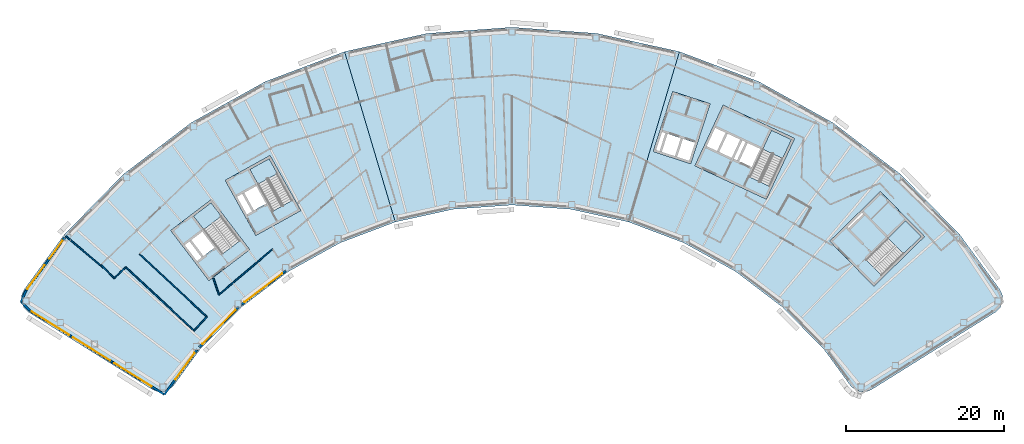
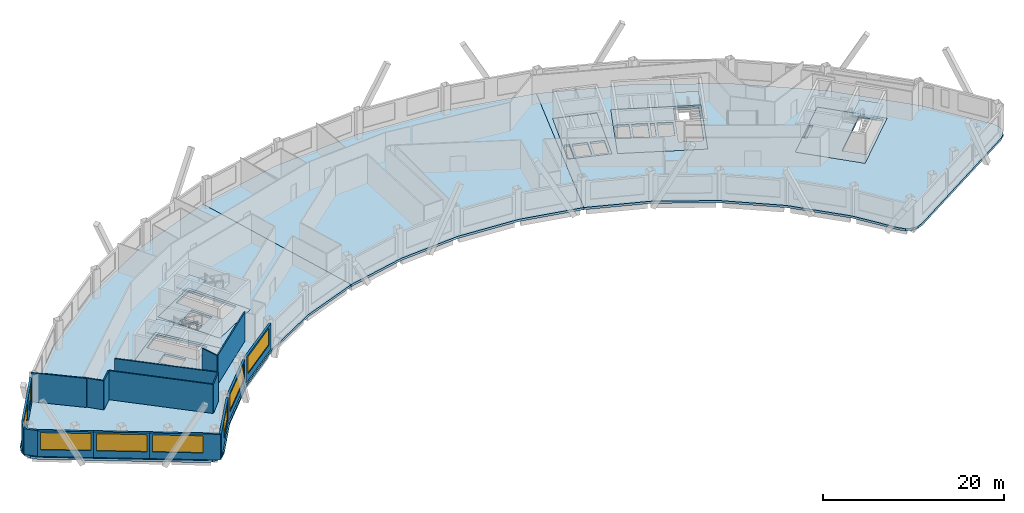
# One storey, part 4 of 12: 17 walls, 12 slabs, 8 windows, 8 openings, 4 elements without a shape of their own.
"""IFC4 building model written with IfcOpenShell, lengths in metres."""

from ifc_helpers import new_model, si_unit, direction, frame, frame_2d, origin, place, context, subcontext, project, spatial, polyline, rectangle, outline, extrude, material, layer, layer_set, type_object, element, fill, aggregate, save


model = new_model("IFC4")

# Units and contexts
model_context = context("Model", 3, precision=1e-05, world=origin(), true_north=direction((0.0, 1.0)))
body_context = subcontext(model_context, "Body", "Model", "MODEL_VIEW")
ifc_project = project(units=[si_unit("LENGTHUNIT", "METRE"), si_unit("AREAUNIT", "SQUARE_METRE"), si_unit("VOLUMEUNIT", "CUBIC_METRE"), si_unit("PLANEANGLEUNIT", "RADIAN"), si_unit("MASSUNIT", "GRAM", prefix="KILO")], contexts=[model_context])

# Site, building, storey
site_placement = place(None, origin())
site = spatial("IfcSite", under=ifc_project, at=site_placement, CompositionType="ELEMENT")
building_placement = place(site_placement, origin())
building = spatial("IfcBuilding", under=site, at=building_placement, Name="Tuul Gate Civic Tower", CompositionType="ELEMENT")
storey_placement = place(building_placement, frame((0.0, 0.0, 328.10009765625)))
storey = spatial("IfcBuildingStorey", under=building, at=storey_placement, Name="Level 74", CompositionType="ELEMENT", Elevation=328.10009765625)

# Slabs
ifc_material_1 = material(Name="Concrete C40/50", Category="concrete")
ifc_layer_1 = layer(ifc_material_1, 0.300048828125)
ifc_layer_set_1 = layer_set([ifc_layer_1], Name="Concrete C40/50")
slab_type_1 = type_object("IfcSlabType", Name="Core floor slab 300", PredefinedType="FLOOR", material=ifc_layer_set_1)
slab_1_placement = place(storey_placement, frame((0.0, 0.0, -0.300048828125)))
element("IfcSlab", 1, at=slab_1_placement, inside=storey, type_object=slab_type_1, Name="FLOOR SLAB", PredefinedType="FLOOR", context=body_context, shape_type="SweptSolid", body=[
    extrude(outline(polyline([(-31.10009765625, -13.7890625), (-35.946044921875, -7.423828125), (-41.11767578125, -11.361572265625), (-36.271484375, -17.726806640625), (-31.10009765625, -13.7890625)]), holes=[polyline([(-35.561767578125, -13.541259765625), (-37.1064453125, -11.512451171875), (-38.498779296875, -12.572509765625), (-36.9541015625, -14.6015625), (-35.561767578125, -13.541259765625)]), polyline([(-37.19287109375, -14.783203125), (-38.737548828125, -12.75439453125), (-39.45361328125, -13.299560546875), (-37.908935546875, -15.328369140625), (-37.19287109375, -14.783203125)]), polyline([(-32.33935546875, -12.65771484375), (-34.56591796875, -14.352783203125), (-38.229736328125, -9.54052734375), (-36.003173828125, -7.845458984375), (-32.33935546875, -12.65771484375)])]), origin(), (0.0, 0.0, 1.0), 0.300048828125),
])
slab_2_placement = place(storey_placement, frame((0.0, 0.0, -0.300048828125)))
element("IfcSlab", 2, at=slab_2_placement, inside=storey, type_object=slab_type_1, Name="FLOOR SLAB", PredefinedType="FLOOR", context=body_context, shape_type="SweptSolid", body=[
    extrude(outline(polyline([(-24.638916015625, -8.846923828125), (-28.51708984375, -1.849853515625), (-34.2021484375, -5.0009765625), (-30.32421875, -11.998046875), (-24.638916015625, -8.846923828125)]), holes=[polyline([(-29.0185546875, -7.958740234375), (-30.254638671875, -5.728515625), (-31.785400390625, -6.576904296875), (-30.54931640625, -8.80712890625), (-29.0185546875, -7.958740234375)]), polyline([(-30.8115234375, -8.95263671875), (-32.047607421875, -6.72216796875), (-32.8349609375, -7.158447265625), (-31.5986328125, -9.388916015625), (-30.8115234375, -8.95263671875)]), polyline([(-25.702392578125, -7.548828125), (-28.14990234375, -8.905517578125), (-31.08203125, -3.615234375), (-28.63427734375, -2.2587890625), (-25.702392578125, -7.548828125)])]), origin(), (0.0, 0.0, 1.0), 0.300048828125),
])
slab_3_placement = place(storey_placement, frame((0.0, 0.0, -0.300048828125)))
element("IfcSlab", 3, at=slab_3_placement, inside=storey, type_object=slab_type_1, Name="FLOOR SLAB", PredefinedType="FLOOR", context=body_context, shape_type="SweptSolid", body=[
    extrude(outline(polyline([(48.117919921875, -18.43310546875), (54.545166015625, -12.1328125), (48.945068359375, -6.419921875), (42.517822265625, -12.719970703125), (48.117919921875, -18.43310546875)]), holes=[polyline([(44.93896484375, -11.046875), (46.760009765625, -9.261962890625), (46.514892578125, -9.011962890625), (44.69384765625, -10.797119140625), (44.93896484375, -11.046875)]), polyline([(49.086181640625, -17.062744140625), (47.12744140625, -15.064208984375), (52.160888671875, -10.130126953125), (54.11962890625, -12.128662109375), (49.086181640625, -17.062744140625)])]), origin(), (0.0, 0.0, 1.0), 0.300048828125),
])
slab_4_placement = place(storey_placement, frame((0.0, 0.0, -0.300048828125)))
element("IfcSlab", 4, at=slab_4_placement, inside=storey, type_object=slab_type_1, Name="FLOOR SLAB", PredefinedType="FLOOR", context=body_context, shape_type="SweptSolid", body=[
    extrude(outline(polyline([(34.465087890625, -7.385986328125), (38.056884765625, 0.31787109375), (28.993896484375, 4.543701171875), (25.40185546875, -3.159912109375), (34.465087890625, -7.385986328125)]), holes=[polyline([(32.60888671875, -3.32080078125), (33.6865234375, -1.009765625), (32.1005859375, -0.27001953125), (31.02294921875, -2.581298828125), (32.60888671875, -3.32080078125)]), polyline([(30.0712890625, -2.137451171875), (31.14892578125, 0.173583984375), (29.562744140625, 0.9130859375), (28.4853515625, -1.39794921875), (30.0712890625, -2.137451171875)]), polyline([(30.751220703125, -2.454345703125), (31.82861328125, -0.143310546875), (31.4208984375, 0.046875), (30.34326171875, -2.264404296875), (30.751220703125, -2.454345703125)]), polyline([(28.21337890625, -1.27099609375), (29.291015625, 1.0400390625), (27.8408203125, 1.71630859375), (26.76318359375, -0.594970703125), (28.21337890625, -1.27099609375)]), polyline([(34.889892578125, -5.7626953125), (32.353759765625, -4.580078125), (35.120849609375, 1.354736328125), (37.6572265625, 0.17236328125), (34.889892578125, -5.7626953125)])]), origin(), (0.0, 0.0, 1.0), 0.300048828125),
])
ifc_material_2 = material(Name="Concrete C40/50", Category="concrete")
ifc_layer_2 = layer(ifc_material_2, 0.300048828125)
ifc_layer_set_2 = layer_set([ifc_layer_2], Name="Concrete C40/50")
slab_type_2 = type_object("IfcSlabType", Name="Core floor slab 300 non-bearing", PredefinedType="FLOOR", material=ifc_layer_set_2)
slab_5_placement = place(storey_placement, frame((0.0, 0.0, -0.300048828125)))
element("IfcSlab", 5, at=slab_5_placement, inside=storey, type_object=slab_type_2, Name="FLOOR SLAB", PredefinedType="FLOOR", context=body_context, shape_type="SweptSolid", body=[
    extrude(outline(polyline([(24.864990234375, -2.888916015625), (27.337890625, 4.71923828125), (22.58251953125, 6.264404296875), (20.109619140625, -1.343994140625), (24.864990234375, -2.888916015625)]), holes=[polyline([(24.67236328125, -2.510986328125), (25.414306640625, -0.228515625), (23.892578125, 0.265869140625), (23.150634765625, -2.0166015625), (24.67236328125, -2.510986328125)]), polyline([(22.865478515625, -1.923828125), (23.607177734375, 0.358642578125), (21.94287109375, 0.8994140625), (21.201171875, -1.383056640625), (22.865478515625, -1.923828125)]), polyline([(20.869384765625, -1.43310546875), (21.65771484375, 0.9921875), (21.0869140625, 1.177490234375), (20.298583984375, -1.24755859375), (20.869384765625, -1.43310546875)])]), origin(), (0.0, 0.0, 1.0), 0.300048828125),
])

# Stair, slab
ifc_material_3 = material(Name="Concrete C40/50", Category="concrete")
stair_type = type_object("IfcStairType", Name="Exit stair", PredefinedType="HALF_TURN_STAIR", material=ifc_material_3)
stair_1_placement = place(storey_placement, origin())
stair_1 = element("IfcStair", 6, at=stair_1_placement, inside=storey, type_object=stair_type, Name="Level 74 ST-1", PredefinedType="HALF_TURN_STAIR")
ifc_material_4 = material(Name="Concrete C40/50", Category="concrete")
ifc_layer_3 = layer(ifc_material_4, 0.199951171875)
ifc_layer_set_3 = layer_set([ifc_layer_3], Name="Concrete C40/50")
slab_type_3 = type_object("IfcSlabType", Name="Exit stair landing", PredefinedType="LANDING", material=ifc_layer_set_3)
slab_6_placement = place(storey_placement, frame((0.0, 0.0, 1.89990234375)))
slab_6 = element("IfcSlab", 7, at=slab_6_placement, type_object=slab_type_3, Name="ST-1 landing 1", PredefinedType="LANDING", context=body_context, shape_type="SweptSolid", body=[
    extrude(outline(polyline([(-34.699462890625, -9.554931640625), (-36.9287109375, -11.252197265625), (-38.23193359375, -9.540283203125), (-36.0029296875, -7.843017578125), (-34.699462890625, -9.554931640625)])), origin(), (0.0, 0.0, 1.0), 0.199951171875),
])
aggregate(stair_1, [slab_6])

stair_2_placement = place(storey_placement, origin())
stair_2 = element("IfcStair", 8, at=stair_2_placement, inside=storey, type_object=stair_type, Name="Level 74 ST-2", PredefinedType="HALF_TURN_STAIR")
slab_7_placement = place(storey_placement, frame((0.0, 0.0, 1.89990234375)))
slab_7 = element("IfcSlab", 9, at=slab_7_placement, type_object=slab_type_3, Name="ST-2 landing 1", PredefinedType="LANDING", context=body_context, shape_type="SweptSolid", body=[
    extrude(outline(polyline([(-27.5908203125, -4.138427734375), (-30.041015625, -5.49658203125), (-31.084228515625, -3.61474609375), (-28.6337890625, -2.256591796875), (-27.5908203125, -4.138427734375)])), origin(), (0.0, 0.0, 1.0), 0.199951171875),
])
aggregate(stair_2, [slab_7])

stair_3_placement = place(storey_placement, origin())
stair_3 = element("IfcStair", 10, at=stair_3_placement, inside=storey, type_object=stair_type, Name="Level 74 ST-3", PredefinedType="HALF_TURN_STAIR")
slab_8_placement = place(storey_placement, frame((0.0, 0.0, 1.89990234375)))
slab_8 = element("IfcSlab", 11, at=slab_8_placement, type_object=slab_type_3, Name="ST-3 landing 1", PredefinedType="LANDING", context=body_context, shape_type="SweptSolid", body=[
    extrude(outline(polyline([(51.871337890625, -14.3349609375), (49.91015625, -12.334228515625), (52.160888671875, -10.1279296875), (54.1220703125, -12.128662109375), (51.871337890625, -14.3349609375)])), origin(), (0.0, 0.0, 1.0), 0.199951171875),
])
aggregate(stair_3, [slab_8])

stair_4_placement = place(storey_placement, origin())
stair_4 = element("IfcStair", 12, at=stair_4_placement, inside=storey, type_object=stair_type, Name="Level 74 ST-4", PredefinedType="HALF_TURN_STAIR")
slab_9_placement = place(storey_placement, frame((0.0, 0.0, 1.89990234375)))
slab_9 = element("IfcSlab", 13, at=slab_9_placement, type_object=slab_type_3, Name="ST-4 landing 1", PredefinedType="LANDING", context=body_context, shape_type="SweptSolid", body=[
    extrude(outline(polyline([(36.538818359375, -2.230224609375), (33.999755859375, -1.046142578125), (35.1201171875, 1.35693359375), (37.659423828125, 0.173095703125), (36.538818359375, -2.230224609375)])), origin(), (0.0, 0.0, 1.0), 0.199951171875),
])
aggregate(stair_4, [slab_9])

# Slabs
ifc_material_5 = material(Name="Concrete C35/45", Category="concrete")
ifc_layer_4 = layer(ifc_material_5, 0.300048828125)
ifc_layer_set_4 = layer_set([ifc_layer_4], Name="Concrete C35/45")
slab_type_4 = type_object("IfcSlabType", Name="STR-FLOOR-SLAB-300", PredefinedType="FLOOR", material=ifc_layer_set_4)
slab_10_placement = place(storey_placement, frame((0.0, 0.0, -0.300048828125)))
element("IfcSlab", 14, at=slab_10_placement, inside=storey, type_object=slab_type_4, Name="Level 74/slab/W", PredefinedType="FLOOR", context=body_context, shape_type="SweptSolid", body=[
    extrude(outline(polyline([(-19.64208984375, -12.94189453125), (-12.6220703125, -10.287109375), (-19.055908203125, 11.3349609375), (-29.125, 7.528076171875), (-38.5390625, 2.30908203125), (-47.10400390625, -4.2119140625), (-54.638916015625, -11.89892578125), (-59.718994140625, -18.85498046875), (-60.055908203125, -19.597900390625), (-60.068115234375, -20.4140625), (-59.7529296875, -21.1669921875), (-59.1640625, -21.73095703125), (-43.43408203125, -31.56005859375), (-42.739990234375, -31.830078125), (-41.9951171875, -31.827880859375), (-41.302978515625, -31.552978515625), (-40.759033203125, -31.0439453125), (-37.429931640625, -26.486083984375), (-32.177001953125, -21.1259765625), (-26.2060546875, -16.580078125), (-19.64208984375, -12.94189453125)]), holes=[polyline([(-31.10009765625, -13.7890625), (-36.27197265625, -17.72705078125), (-41.117919921875, -11.362060546875), (-35.946044921875, -7.424072265625), (-31.10009765625, -13.7890625)]), polyline([(-24.638916015625, -8.846923828125), (-30.323974609375, -11.998046875), (-34.201904296875, -5.0009765625), (-28.51708984375, -1.85009765625), (-24.638916015625, -8.846923828125)])]), origin(), (0.0, 0.0, 1.0), 0.300048828125),
])
slab_11_placement = place(storey_placement, frame((0.0, 0.0, -0.300048828125)))
element("IfcSlab", 15, at=slab_11_placement, inside=storey, type_object=slab_type_4, Name="Level 74/slab/M", PredefinedType="FLOOR", context=body_context, shape_type="SweptSolid", body=[
    extrude(outline(polyline([(17.006103515625, -10.287109375), (23.43994140625, 11.3349609375), (12.927978515625, 13.652099609375), (2.19189453125, 14.428955078125), (-8.5439453125, 13.652099609375), (-19.055908203125, 11.3349609375), (-12.6220703125, -10.287109375), (-5.29296875, -8.672119140625), (2.19189453125, -8.1298828125), (9.677001953125, -8.672119140625), (17.006103515625, -10.287109375)])), origin(), (0.0, 0.0, 1.0), 0.300048828125),
])
slab_12_placement = place(storey_placement, frame((0.0, 0.0, -0.300048828125)))
element("IfcSlab", 16, at=slab_12_placement, inside=storey, type_object=slab_type_4, Name="Level 74/slab/E", PredefinedType="FLOOR", context=body_context, shape_type="SweptSolid", body=[
    extrude(outline(polyline([(47.1240234375, -31.830078125), (47.818115234375, -31.56005859375), (63.548095703125, -21.73095703125), (64.136962890625, -21.1669921875), (64.451904296875, -20.4140625), (64.43994140625, -19.597900390625), (64.10302734375, -18.85498046875), (59.02294921875, -11.89892578125), (51.488037109375, -4.2119140625), (42.923095703125, 2.30908203125), (33.509033203125, 7.528076171875), (23.43994140625, 11.3349609375), (17.006103515625, -10.287109375), (24.02587890625, -12.94189453125), (30.590087890625, -16.580078125), (36.56103515625, -21.1259765625), (41.81396484375, -26.486083984375), (45.14306640625, -31.0439453125), (45.68701171875, -31.552978515625), (46.37890625, -31.827880859375), (47.1240234375, -31.830078125)]), holes=[polyline([(48.117919921875, -18.43310546875), (42.51806640625, -12.719970703125), (48.945068359375, -6.419921875), (54.544921875, -12.133056640625), (48.117919921875, -18.43310546875)]), polyline([(25.402099609375, -3.159912109375), (28.993896484375, 4.5439453125), (38.056884765625, 0.318115234375), (34.465087890625, -7.385986328125), (25.402099609375, -3.159912109375)]), polyline([(20.110107421875, -1.343994140625), (22.58203125, 6.264892578125), (27.337890625, 4.719970703125), (24.864990234375, -2.888916015625), (20.110107421875, -1.343994140625)])]), origin(), (0.0, 0.0, 1.0), 0.300048828125),
])

# Walls
ifc_material_6 = material(Name="Gypsum board partition")
ifc_layer_5 = layer(ifc_material_6, 0.14990234375)
ifc_layer_set_5 = layer_set([ifc_layer_5], Name="Gypsum board partition")
wall_type_1 = type_object("IfcWallType", Name="Corridor wall P150", PredefinedType="PARTITIONING", material=ifc_layer_set_5)
wall_1_placement = place(storey_placement, frame((-49.96337890625, -15.701416015625, 0.0), z_axis=(0.0, 0.0, 1.0), x_axis=(0.692773194166, -0.721155532077, 0.0)))
element("IfcWall", 17, at=wall_1_placement, inside=storey, type_object=wall_type_1, Name="p030", PredefinedType="PARTITIONING", context=body_context, shape_type="SweptSolid", body=[
    extrude(rectangle(XDim=2.39990234375, YDim=0.14990234375, at=frame_2d((1.199951171875, 0.0))), origin(), (0.0, 0.0, 1.0), 3.89990234375),
])
wall_2_placement = place(storey_placement, frame((-54.43359375, -12.0751953125, 0.0), z_axis=(0.0, 0.0, 1.0), x_axis=(0.762994888009, -0.646404517986, 0.0)))
element("IfcWall", 18, at=wall_2_placement, inside=storey, type_object=wall_type_1, Name="p031", PredefinedType="PARTITIONING", context=body_context, shape_type="SweptSolid", body=[
    extrude(rectangle(XDim=6.24853515625, YDim=0.14990234375, at=frame_2d((3.124267578125, 0.0))), origin(), (0.0, 0.0, 1.0), 3.89990234375),
])
wall_3_placement = place(storey_placement, frame((-48.30078125, -17.43212890625, 0.0), z_axis=(0.0, 0.0, 1.0), x_axis=(0.721171653789, 0.69275641157, 0.0)))
element("IfcWall", 19, at=wall_3_placement, inside=storey, type_object=wall_type_1, Name="p049", PredefinedType="PARTITIONING", context=body_context, shape_type="SweptSolid", body=[
    extrude(rectangle(XDim=2.036376953125, YDim=0.14990234375, at=frame_2d((1.01806640625, 0.0))), origin(), (0.0, 0.0, 1.0), 3.89990234375),
])
wall_4_placement = place(storey_placement, frame((-46.807861328125, -16.018798828125, 0.0), z_axis=(0.0, 0.0, 1.0), x_axis=(0.731363923155, -0.681987398643, 0.0)))
element("IfcWall", 20, at=wall_4_placement, inside=storey, type_object=wall_type_1, Name="p051", PredefinedType="PARTITIONING", context=body_context, shape_type="SweptSolid", body=[
    extrude(rectangle(XDim=11.807373046875, YDim=0.14990234375, at=frame_2d((5.90380859375, 0.0))), origin(), (0.0, 0.0, 1.0), 3.89990234375),
])
wall_5_placement = place(storey_placement, frame((-38.17236328125, -24.0712890625, 0.0), z_axis=(0.0, 0.0, 1.0), x_axis=(0.682010140547, 0.731342715963, 0.0)))
element("IfcWall", 21, at=wall_5_placement, inside=storey, type_object=wall_type_1, Name="p052", PredefinedType="PARTITIONING", context=body_context, shape_type="SweptSolid", body=[
    extrude(rectangle(XDim=2.400146484375, YDim=0.14990234375, at=frame_2d((1.2001953125, 0.0))), origin(), (0.0, 0.0, 1.0), 3.89990234375),
])
wall_6_placement = place(storey_placement, frame((-45.069580078125, -14.35791015625, 0.0), z_axis=(0.0, 0.0, 1.0), x_axis=(0.731364109617, -0.681987198681, 0.0)))
element("IfcWall", 22, at=wall_6_placement, inside=storey, type_object=wall_type_1, Name="p053", PredefinedType="PARTITIONING", context=body_context, shape_type="SweptSolid", body=[
    extrude(rectangle(XDim=11.6689453125, YDim=0.14990234375, at=frame_2d((5.83447265625, 0.0))), origin(), (0.0, 0.0, 1.0), 3.89990234375),
])
wall_7_placement = place(storey_placement, frame((-35.69580078125, -17.476806640625, 0.0), z_axis=(0.0, 0.0, 1.0), x_axis=(0.324321422105, -0.945946940988, 0.0)))
element("IfcWall", 23, at=wall_7_placement, inside=storey, type_object=wall_type_1, Name="p054", PredefinedType="PARTITIONING", context=body_context, shape_type="SweptSolid", body=[
    extrude(rectangle(XDim=2.150634765625, YDim=0.14990234375, at=frame_2d((1.0751953125, 0.0))), origin(), (0.0, 0.0, 1.0), 3.89990234375),
])
wall_8_placement = place(storey_placement, frame((-34.998291015625, -19.51123046875, 0.0), z_axis=(0.0, 0.0, 1.0), x_axis=(0.762337651112, 0.647179500368, 0.0)))
element("IfcWall", 24, at=wall_8_placement, inside=storey, type_object=wall_type_1, Name="p055", PredefinedType="PARTITIONING", context=body_context, shape_type="SweptSolid", body=[
    extrude(rectangle(XDim=8.9189453125, YDim=0.14990234375, at=frame_2d((4.45947265625, 0.0))), origin(), (0.0, 0.0, 1.0), 3.89990234375),
])

# Wall, openings, windows
ifc_material_7 = material(Name="Precast concrete C40/50", Category="concrete")
ifc_layer_6 = layer(ifc_material_7, 0.25)
ifc_layer_set_6 = layer_set([ifc_layer_6], Name="Precast concrete C40/50")
wall_type_2 = type_object("IfcWallType", Name="External wall", PredefinedType="STANDARD", material=ifc_layer_set_6)
wall_9_placement = place(storey_placement, frame((-54.580078125, -12.28466796875, 0.0), z_axis=(0.0, 0.0, 1.0), x_axis=(-0.58975151757, -0.80758476182, 0.0)))
wall_9 = element("IfcWall", 25, at=wall_9_placement, inside=storey, type_object=wall_type_2, Name="External wall", PredefinedType="STANDARD", context=body_context, shape_type="SweptSolid", body=[
    extrude(rectangle(XDim=8.33740234375, YDim=0.25, at=frame_2d((4.168701171875, 0.0))), origin(), (0.0, 0.0, 1.0), 3.449951171875),
])
opening_1_placement = place(wall_9_placement, frame((0.48486328125, 0.0, 0.89990234375)))
opening_1 = element("IfcOpeningElement", 26, at=opening_1_placement, cuts=wall_9, Name="Opening W23", PredefinedType="OPENING", context=body_context, shape_type="SweptSolid", body=[
    extrude(rectangle(XDim=2.800048828125, YDim=2.300048828125, at=frame_2d((1.39990234375, 1.14990234375))), frame((0.0, 0.135009765625, 0.0), z_axis=(0.0, -1.0, 0.0), x_axis=(1.0, 0.0, 0.0)), (0.0, 0.0, 1.0), 0.27001953125),
])
opening_2_placement = place(wall_9_placement, frame((4.33642578125, 0.0, 0.89990234375)))
opening_2 = element("IfcOpeningElement", 27, at=opening_2_placement, cuts=wall_9, Name="Opening W21", PredefinedType="OPENING", context=body_context, shape_type="SweptSolid", body=[
    extrude(rectangle(XDim=3.699951171875, YDim=2.300048828125, at=frame_2d((1.85009765625, 1.14990234375))), frame((0.0, 0.135009765625, 0.0), z_axis=(0.0, -1.0, 0.0), x_axis=(1.0, 0.0, 0.0)), (0.0, 0.0, 1.0), 0.27001953125),
])
ifc_material_8 = material(Name="Glass", Category="glass")
window_type_1 = type_object("IfcWindowType", Name="Window W21 3700 x 2300", PartitioningType="SINGLE_PANEL", PredefinedType="WINDOW", material=ifc_material_8)
window_1_placement = place(opening_2_placement, origin())
window_1 = element("IfcWindow", 28, at=window_1_placement, inside=storey, type_object=window_type_1, Name="Window", OverallHeight=2.300048828125, OverallWidth=3.699951171875, PartitioningType="SINGLE_PANEL", PredefinedType="WINDOW", context=body_context, shape_type="SweptSolid", body=[
    extrude(rectangle(XDim=3.699951171875, YDim=2.300048828125, at=frame_2d((1.85009765625, 1.14990234375))), frame((0.0, 0.030029296875, 0.0), z_axis=(0.0, -1.0, 0.0), x_axis=(1.0, 0.0, 0.0)), (0.0, 0.0, 1.0), 0.06005859375),
])
fill(opening_2, window_1)
ifc_material_9 = material(Name="Glass", Category="glass")
window_type_2 = type_object("IfcWindowType", Name="Window W23 2800 x 2300", PartitioningType="SINGLE_PANEL", PredefinedType="WINDOW", material=ifc_material_9)
window_2_placement = place(opening_1_placement, origin())
window_2 = element("IfcWindow", 29, at=window_2_placement, inside=storey, type_object=window_type_2, Name="Window", OverallHeight=2.300048828125, OverallWidth=2.800048828125, PartitioningType="SINGLE_PANEL", PredefinedType="WINDOW", context=body_context, shape_type="SweptSolid", body=[
    extrude(rectangle(XDim=2.800048828125, YDim=2.300048828125, at=frame_2d((1.39990234375, 1.14990234375))), frame((0.0, 0.030029296875, 0.0), z_axis=(0.0, -1.0, 0.0), x_axis=(1.0, 0.0, 0.0)), (0.0, 0.0, 1.0), 0.06005859375),
])
fill(opening_1, window_2)

# Walls
wall_10_placement = place(storey_placement, frame((-59.484130859375, -18.99560546875, 0.0), z_axis=(0.0, 0.0, 1.0), x_axis=(-0.413463423134, -0.910520728886, 0.0)))
element("IfcWall", 30, at=wall_10_placement, inside=storey, type_object=wall_type_2, Name="External wall", PredefinedType="STANDARD", context=body_context, shape_type="SweptSolid", body=[
    extrude(rectangle(XDim=1.5712890625, YDim=0.25, at=frame_2d((0.78564453125, 0.0))), origin(), (0.0, 0.0, 1.0), 3.449951171875),
])
wall_11_placement = place(storey_placement, frame((-60.1337890625, -20.42626953125, 0.0), z_axis=(0.0, 0.0, 1.0), x_axis=(0.722162740816, -0.691723193031, 0.0)))
element("IfcWall", 31, at=wall_11_placement, inside=storey, type_object=wall_type_2, Name="External wall", PredefinedType="STANDARD", context=body_context, shape_type="SweptSolid", body=[
    extrude(rectangle(XDim=1.572021484375, YDim=0.25, at=frame_2d((0.7861328125, 0.0))), origin(), (0.0, 0.0, 1.0), 3.449951171875),
])

# Wall, opening, window
wall_12_placement = place(storey_placement, frame((-59.018798828125, -21.498046875, 0.0), z_axis=(0.0, 0.0, 1.0), x_axis=(0.848053758074, -0.529910203164, 0.0)))
wall_12 = element("IfcWall", 32, at=wall_12_placement, inside=storey, type_object=wall_type_2, Name="External wall", PredefinedType="STANDARD", context=body_context, shape_type="SweptSolid", body=[
    extrude(rectangle(XDim=6.182861328125, YDim=0.25, at=frame_2d((3.09130859375, 0.0))), origin(), (0.0, 0.0, 1.0), 3.449951171875),
])
opening_3_placement = place(wall_12_placement, frame((0.31640625, 0.0, 0.89990234375)))
opening_3 = element("IfcOpeningElement", 33, at=opening_3_placement, cuts=wall_12, Name="Opening W24", PredefinedType="OPENING", context=body_context, shape_type="SweptSolid", body=[
    extrude(rectangle(XDim=5.550048828125, YDim=2.300048828125, at=frame_2d((2.77490234375, 1.14990234375))), frame((0.0, 0.135009765625, 0.0), z_axis=(0.0, -1.0, 0.0), x_axis=(1.0, 0.0, 0.0)), (0.0, 0.0, 1.0), 0.27001953125),
])
ifc_material_10 = material(Name="Glass", Category="glass")
window_type_3 = type_object("IfcWindowType", Name="Window W24 5550 x 2300", PartitioningType="SINGLE_PANEL", PredefinedType="WINDOW", material=ifc_material_10)
window_3_placement = place(opening_3_placement, origin())
window_3 = element("IfcWindow", 34, at=window_3_placement, inside=storey, type_object=window_type_3, Name="Window", OverallHeight=2.300048828125, OverallWidth=5.550048828125, PartitioningType="SINGLE_PANEL", PredefinedType="WINDOW", context=body_context, shape_type="SweptSolid", body=[
    extrude(rectangle(XDim=5.550048828125, YDim=2.300048828125, at=frame_2d((2.77490234375, 1.14990234375))), frame((0.0, 0.030029296875, 0.0), z_axis=(0.0, -1.0, 0.0), x_axis=(1.0, 0.0, 0.0)), (0.0, 0.0, 1.0), 0.06005859375),
])
fill(opening_3, window_3)

wall_13_placement = place(storey_placement, frame((-53.775390625, -24.7744140625, 0.0), z_axis=(0.0, 0.0, 1.0), x_axis=(0.848053758074, -0.529910203164, 0.0)))
wall_13 = element("IfcWall", 35, at=wall_13_placement, inside=storey, type_object=wall_type_2, Name="External wall", PredefinedType="STANDARD", context=body_context, shape_type="SweptSolid", body=[
    extrude(rectangle(XDim=6.182861328125, YDim=0.25, at=frame_2d((3.09130859375, 0.0))), origin(), (0.0, 0.0, 1.0), 3.449951171875),
])
opening_4_placement = place(wall_13_placement, frame((0.31640625, 0.0, 0.89990234375)))
opening_4 = element("IfcOpeningElement", 36, at=opening_4_placement, cuts=wall_13, Name="Opening W24", PredefinedType="OPENING", context=body_context, shape_type="SweptSolid", body=[
    extrude(rectangle(XDim=5.550048828125, YDim=2.300048828125, at=frame_2d((2.77490234375, 1.14990234375))), frame((0.0, 0.135009765625, 0.0), z_axis=(0.0, -1.0, 0.0), x_axis=(1.0, 0.0, 0.0)), (0.0, 0.0, 1.0), 0.27001953125),
])
window_4_placement = place(opening_4_placement, origin())
window_4 = element("IfcWindow", 37, at=window_4_placement, inside=storey, type_object=window_type_3, Name="Window", OverallHeight=2.300048828125, OverallWidth=5.550048828125, PartitioningType="SINGLE_PANEL", PredefinedType="WINDOW", context=body_context, shape_type="SweptSolid", body=[
    extrude(rectangle(XDim=5.550048828125, YDim=2.300048828125, at=frame_2d((2.77490234375, 1.14990234375))), frame((0.0, 0.030029296875, 0.0), z_axis=(0.0, -1.0, 0.0), x_axis=(1.0, 0.0, 0.0)), (0.0, 0.0, 1.0), 0.06005859375),
])
fill(opening_4, window_4)

wall_14_placement = place(storey_placement, frame((-48.531982421875, -28.05078125, 0.0), z_axis=(0.0, 0.0, 1.0), x_axis=(0.848061701049, -0.529897491233, 0.0)))
wall_14 = element("IfcWall", 38, at=wall_14_placement, inside=storey, type_object=wall_type_2, Name="External wall", PredefinedType="STANDARD", context=body_context, shape_type="SweptSolid", body=[
    extrude(rectangle(XDim=7.787841796875, YDim=0.25, at=frame_2d((3.89404296875, 0.0))), origin(), (0.0, 0.0, 1.0), 3.449951171875),
])
opening_5_placement = place(wall_14_placement, frame((0.31640625, 0.0, 0.89990234375)))
opening_5 = element("IfcOpeningElement", 39, at=opening_5_placement, cuts=wall_14, Name="Opening W24", PredefinedType="OPENING", context=body_context, shape_type="SweptSolid", body=[
    extrude(rectangle(XDim=5.550048828125, YDim=2.300048828125, at=frame_2d((2.77490234375, 1.14990234375))), frame((0.0, 0.135009765625, 0.0), z_axis=(0.0, -1.0, 0.0), x_axis=(1.0, 0.0, 0.0)), (0.0, 0.0, 1.0), 0.27001953125),
])
window_5_placement = place(opening_5_placement, origin())
window_5 = element("IfcWindow", 40, at=window_5_placement, inside=storey, type_object=window_type_3, Name="Window", OverallHeight=2.300048828125, OverallWidth=5.550048828125, PartitioningType="SINGLE_PANEL", PredefinedType="WINDOW", context=body_context, shape_type="SweptSolid", body=[
    extrude(rectangle(XDim=5.550048828125, YDim=2.300048828125, at=frame_2d((2.77490234375, 1.14990234375))), frame((0.0, 0.030029296875, 0.0), z_axis=(0.0, -1.0, 0.0), x_axis=(1.0, 0.0, 0.0)), (0.0, 0.0, 1.0), 0.06005859375),
])
fill(opening_5, window_5)

wall_15_placement = place(storey_placement, frame((-41.927490234375, -32.177490234375, 0.0), z_axis=(0.0, 0.0, 1.0), x_axis=(0.589749390831, 0.8075863149, 0.0)))
wall_15 = element("IfcWall", 41, at=wall_15_placement, inside=storey, type_object=wall_type_2, Name="External wall", PredefinedType="STANDARD", context=body_context, shape_type="SweptSolid", body=[
    extrude(rectangle(XDim=7.033935546875, YDim=0.25, at=frame_2d((3.51708984375, 0.0))), origin(), (0.0, 0.0, 1.0), 3.449951171875),
])
opening_6_placement = place(wall_15_placement, frame((2.357666015625, 0.0, 0.89990234375)))
opening_6 = element("IfcOpeningElement", 42, at=opening_6_placement, cuts=wall_15, Name="Opening W25", PredefinedType="OPENING", context=body_context, shape_type="SweptSolid", body=[
    extrude(rectangle(XDim=4.14990234375, YDim=2.300048828125, at=frame_2d((2.074951171875, 1.14990234375))), frame((0.0, 0.135009765625, 0.0), z_axis=(0.0, -1.0, 0.0), x_axis=(1.0, 0.0, 0.0)), (0.0, 0.0, 1.0), 0.27001953125),
])
ifc_material_11 = material(Name="Glass", Category="glass")
window_type_4 = type_object("IfcWindowType", Name="Window W25 4150 x 2300", PartitioningType="SINGLE_PANEL", PredefinedType="WINDOW", material=ifc_material_11)
window_6_placement = place(opening_6_placement, origin())
window_6 = element("IfcWindow", 43, at=window_6_placement, inside=storey, type_object=window_type_4, Name="Window", OverallHeight=2.300048828125, OverallWidth=4.14990234375, PartitioningType="SINGLE_PANEL", PredefinedType="WINDOW", context=body_context, shape_type="SweptSolid", body=[
    extrude(rectangle(XDim=4.14990234375, YDim=2.300048828125, at=frame_2d((2.074951171875, 1.14990234375))), frame((0.0, 0.030029296875, 0.0), z_axis=(0.0, -1.0, 0.0), x_axis=(1.0, 0.0, 0.0)), (0.0, 0.0, 1.0), 0.06005859375),
])
fill(opening_6, window_6)

wall_16_placement = place(storey_placement, frame((-37.489013671875, -26.15234375, 0.0), z_axis=(0.0, 0.0, 1.0), x_axis=(0.700085141996, 0.714059377052, 0.0)))
wall_16 = element("IfcWall", 44, at=wall_16_placement, inside=storey, type_object=wall_type_2, Name="External wall", PredefinedType="STANDARD", context=body_context, shape_type="SweptSolid", body=[
    extrude(rectangle(XDim=7.110595703125, YDim=0.25, at=frame_2d((3.55517578125, 0.0))), origin(), (0.0, 0.0, 1.0), 3.449951171875),
])
opening_7_placement = place(wall_16_placement, frame((0.5556640625, 0.0, 0.89990234375)))
opening_7 = element("IfcOpeningElement", 45, at=opening_7_placement, cuts=wall_16, Name="Opening W26", PredefinedType="OPENING", context=body_context, shape_type="SweptSolid", body=[
    extrude(rectangle(XDim=6.0, YDim=2.300048828125, at=frame_2d((3.0, 1.14990234375))), frame((0.0, 0.135009765625, 0.0), z_axis=(0.0, -1.0, 0.0), x_axis=(1.0, 0.0, 0.0)), (0.0, 0.0, 1.0), 0.27001953125),
])
ifc_material_12 = material(Name="Glass", Category="glass")
window_type_5 = type_object("IfcWindowType", Name="Window W26 6000 x 2300", PartitioningType="SINGLE_PANEL", PredefinedType="WINDOW", material=ifc_material_12)
window_7_placement = place(opening_7_placement, origin())
window_7 = element("IfcWindow", 46, at=window_7_placement, inside=storey, type_object=window_type_5, Name="Window", OverallHeight=2.300048828125, OverallWidth=6.0, PartitioningType="SINGLE_PANEL", PredefinedType="WINDOW", context=body_context, shape_type="SweptSolid", body=[
    extrude(rectangle(XDim=6.0, YDim=2.300048828125, at=frame_2d((3.0, 1.14990234375))), frame((0.0, 0.030029296875, 0.0), z_axis=(0.0, -1.0, 0.0), x_axis=(1.0, 0.0, 0.0)), (0.0, 0.0, 1.0), 0.06005859375),
])
fill(opening_7, window_7)

wall_17_placement = place(storey_placement, frame((-32.175048828125, -20.780029296875, 0.0), z_axis=(0.0, 0.0, 1.0), x_axis=(0.795582375141, 0.605845429433, 0.0)))
wall_17 = element("IfcWall", 47, at=wall_17_placement, inside=storey, type_object=wall_type_2, Name="External wall", PredefinedType="STANDARD", context=body_context, shape_type="SweptSolid", body=[
    extrude(rectangle(XDim=7.10400390625, YDim=0.25, at=frame_2d((3.552001953125, 0.0))), origin(), (0.0, 0.0, 1.0), 3.449951171875),
])
opening_8_placement = place(wall_17_placement, frame((0.541259765625, 0.0, 0.89990234375)))
opening_8 = element("IfcOpeningElement", 48, at=opening_8_placement, cuts=wall_17, Name="Opening W26", PredefinedType="OPENING", context=body_context, shape_type="SweptSolid", body=[
    extrude(rectangle(XDim=6.0, YDim=2.300048828125, at=frame_2d((3.0, 1.14990234375))), frame((0.0, 0.135009765625, 0.0), z_axis=(0.0, -1.0, 0.0), x_axis=(1.0, 0.0, 0.0)), (0.0, 0.0, 1.0), 0.27001953125),
])
window_8_placement = place(opening_8_placement, origin())
window_8 = element("IfcWindow", 49, at=window_8_placement, inside=storey, type_object=window_type_5, Name="Window", OverallHeight=2.300048828125, OverallWidth=6.0, PartitioningType="SINGLE_PANEL", PredefinedType="WINDOW", context=body_context, shape_type="SweptSolid", body=[
    extrude(rectangle(XDim=6.0, YDim=2.300048828125, at=frame_2d((3.0, 1.14990234375))), frame((0.0, 0.030029296875, 0.0), z_axis=(0.0, -1.0, 0.0), x_axis=(1.0, 0.0, 0.0)), (0.0, 0.0, 1.0), 0.06005859375),
])
fill(opening_8, window_8)

save(model, "model.ifc")
